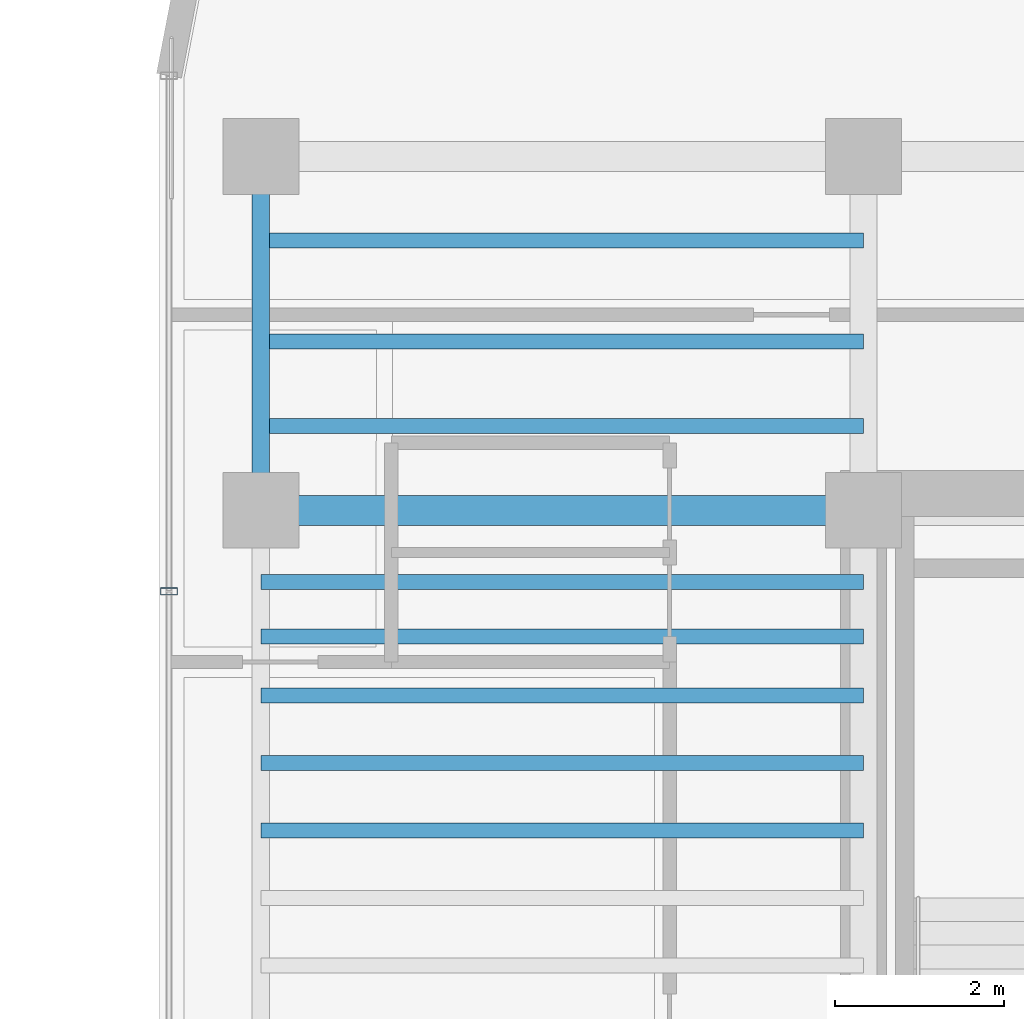
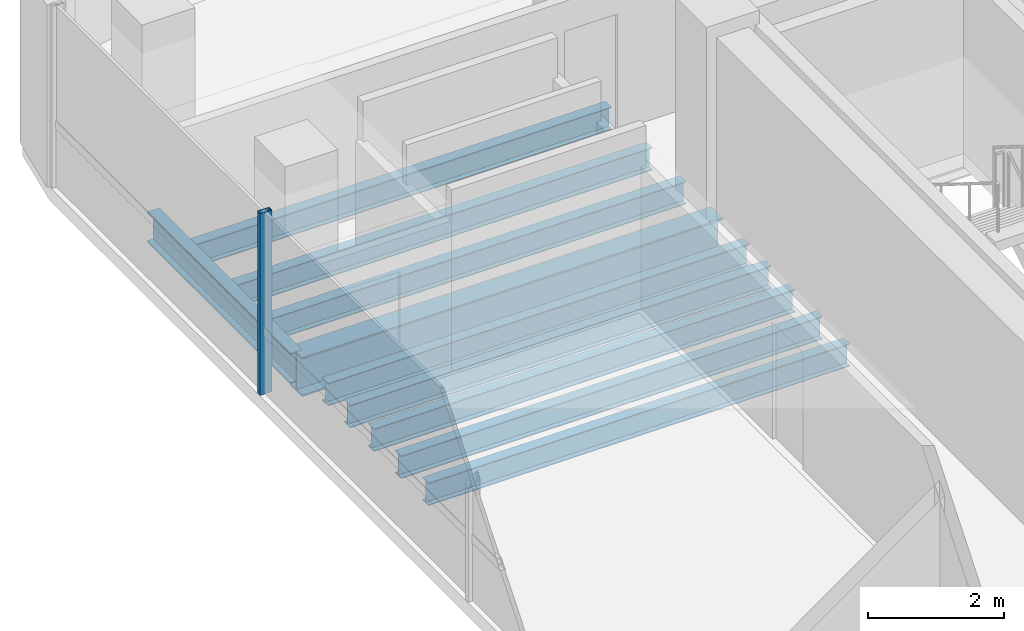
# One storey, part 9 of 22: 10 beams, 1 member, 1 element without a shape of its own.
"""IFC4 building model written with IfcOpenShell, lengths in metres."""

from ifc_helpers import new_model, si_unit, direction, frame, origin, origin_2d, place, context, subcontext, project, spatial, hollow_rectangle, i_section, extrude, source, transform, mapped, material, material_profile, profile_set, type_object, element, aggregate, save


model = new_model("IFC4")

# Units and contexts
model_context = context("Model", 3, precision=1e-05, world=origin(), true_north=direction((0.0, 1.0)))
body_context = subcontext(model_context, "Body", "Model", "MODEL_VIEW")
ifc_project = project(units=[si_unit("LENGTHUNIT", "METRE"), si_unit("AREAUNIT", "SQUARE_METRE"), si_unit("VOLUMEUNIT", "CUBIC_METRE"), si_unit("PLANEANGLEUNIT", "RADIAN"), si_unit("MASSUNIT", "GRAM", prefix="KILO")], contexts=[model_context])

# Site, building, storey
site_placement = place(None, origin())
site = spatial("IfcSite", under=ifc_project, at=site_placement, CompositionType="ELEMENT")
building_placement = place(site_placement, origin())
building = spatial("IfcBuilding", under=site, at=building_placement, Name="Valdorenza Pilgrim Sanctuary Tower", CompositionType="ELEMENT")
storey_placement = place(building_placement, frame((0.0, 0.0, 233.5)))
storey = spatial("IfcBuildingStorey", under=building, at=storey_placement, Name="L60", CompositionType="ELEMENT", Elevation=233.5)

# Beams
ifc_material_1 = material(Name="Steel ASTM A992 Grade 50", Category="steel")
ifc_material_profile_1 = material_profile(ifc_material_1, i_section(OverallWidth=0.2109375, OverallDepth=0.5390625, WebThickness=0.01171875, FlangeThickness=0.018798828125, at=origin_2d()), Name="W21X73")
ifc_profile_set_1 = profile_set([ifc_material_profile_1], Name="Steel ASTM A992 Grade 50")
beam_type_1 = type_object("IfcBeamType", Name="STR-BM-SPN-W21B", PredefinedType="SPANDREL", material=ifc_profile_set_1)
shared_shape_1 = source(origin(), body_context, "Body", "SweptSolid", [
    extrude(i_section(OverallWidth=0.2109375, OverallDepth=0.5390625, WebThickness=0.01171875, FlangeThickness=0.018798828125, at=origin_2d()), origin(), (0.0, 0.0, 1.0), 4.199951171875),
])
beam_1_placement = place(storey_placement, frame((-29.800048828125, 10.60009765625, -0.509521484375), z_axis=(0.0, 1.0, 0.0), x_axis=(-1.0, 0.0, 0.0)))
element("IfcBeam", 1, at=beam_1_placement, inside=storey, type_object=beam_type_1, Name="L60 Spandrel Beam WA-W-N1N2", PredefinedType="SPANDREL", context=body_context, shape_type="MappedRepresentation", body=[
    mapped(shared_shape_1, transform((0.0, 0.0, 0.0), x_axis=(1.0, 0.0, 0.0), y_axis=(0.0, 1.0, 0.0), z_axis=(0.0, 0.0, 1.0), scale=1.0)),
])
ifc_material_profile_2 = material_profile(ifc_material_1, i_section(OverallWidth=0.35595703125, OverallDepth=0.700927734375, WebThickness=0.016845703125, FlangeThickness=0.02734375, at=origin_2d()), Name="W27X161")
ifc_profile_set_2 = profile_set([ifc_material_profile_2], Name="Steel ASTM A992 Grade 50")
beam_type_2 = type_object("IfcBeamType", Name="STR-BM-GRD-W27", PredefinedType="BEAM", material=ifc_profile_set_2)
shared_shape_2 = source(origin(), body_context, "Body", "SweptSolid", [
    extrude(i_section(OverallWidth=0.35595703125, OverallDepth=0.700927734375, WebThickness=0.016845703125, FlangeThickness=0.02734375, at=origin_2d()), origin(), (0.0, 0.0, 1.0), 7.150146484375),
])
beam_2_placement = place(storey_placement, frame((-29.800048828125, 10.60009765625, -0.590576171875), z_axis=(1.0, 0.0, 0.0), x_axis=(0.0, 1.0, 0.0)))
element("IfcBeam", 2, at=beam_2_placement, inside=storey, type_object=beam_type_2, Name="L60 Floor Girder WA-XW-N1", PredefinedType="BEAM", context=body_context, shape_type="MappedRepresentation", body=[
    mapped(shared_shape_2, transform((0.0, 0.0, 0.0), x_axis=(1.0, 0.0, 0.0), y_axis=(0.0, 1.0, 0.0), z_axis=(0.0, 0.0, 1.0), scale=1.0)),
])
ifc_material_profile_3 = material_profile(ifc_material_1, i_section(OverallWidth=0.177978515625, OverallDepth=0.406005859375, WebThickness=0.0078125, FlangeThickness=0.0126953125, at=origin_2d()), Name="W16X40")
ifc_profile_set_3 = profile_set([ifc_material_profile_3], Name="Steel ASTM A992 Grade 50")
beam_type_3 = type_object("IfcBeamType", Name="STR-BM-JST-W16", PredefinedType="JOIST", material=ifc_profile_set_3)
shared_shape_3 = source(origin(), body_context, "Body", "SweptSolid", [
    extrude(i_section(OverallWidth=0.177978515625, OverallDepth=0.406005859375, WebThickness=0.0078125, FlangeThickness=0.0126953125, at=origin_2d()), origin(), (0.0, 0.0, 1.0), 7.150146484375),
])
for number, where, z_axis, x_axis, name in (
    (3, (-29.800048828125, 6.800048828125, -0.443115234375), (1.0, 0.0, 0.0), (0.0, 1.0, 0.0), "L60 Composite Floor Joist JST-WA-19"),
    (4, (-29.800048828125, 7.60009765625, -0.443115234375), (1.0, 0.0, 0.0), (0.0, 1.0, 0.0), "L60 Composite Floor Joist JST-WA-20"),
    (5, (-29.800048828125, 8.39990234375, -0.443115234375), (1.0, 0.0, 0.0), (0.0, 1.0, 0.0), "L60 Composite Floor Joist JST-WA-21"),
    (6, (-29.800048828125, 9.10009765625, -0.443115234375), (1.0, 0.0, 0.0), (0.0, 1.0, 0.0), "L60 Composite Floor Joist JST-WA-22"),
    (7, (-29.800048828125, 9.75, -0.443115234375), (1.0, 0.0, 0.0), (0.0, 1.0, 0.0), "L60 Composite Floor Joist JST-WA-23"),
    (8, (-29.800048828125, 11.60009765625, -0.443115234375), (1.0, 0.0, 0.0), (0.0, 1.0, 0.0), "L60 Composite Floor Joist JST-WA-24"),
    (9, (-29.800048828125, 12.60009765625, -0.443115234375), (1.0, 0.0, 0.0), (0.0, 1.0, 0.0), "L60 Composite Floor Joist JST-WA-25"),
    (10, (-29.800048828125, 13.800048828125, -0.443115234375), (1.0, 0.0, 0.0), (0.0, 1.0, 0.0), "L60 Composite Floor Joist JST-WA-26"),
):
    element("IfcBeam", number, at=place(storey_placement, frame(where, z_axis=z_axis, x_axis=x_axis)), inside=storey, type_object=beam_type_3, Name=name, PredefinedType="JOIST", context=body_context, shape_type="MappedRepresentation", body=[
        mapped(shared_shape_3, transform((0.0, 0.0, 0.0), x_axis=(1.0, 0.0, 0.0), y_axis=(0.0, 1.0, 0.0), z_axis=(0.0, 0.0, 1.0), scale=1.0)),
    ])

# Curtain wall, member
ifc_material_2 = material(Name="Curtain-wall IGU glazing", Category="glass")
curtain_wall_type = type_object("IfcCurtainWallType", Name="CW-SYS-02", PredefinedType="NOTDEFINED", material=ifc_material_2)
curtain_wall_placement = place(storey_placement, origin())
curtain_wall = element("IfcCurtainWall", 11, at=curtain_wall_placement, inside=storey, type_object=curtain_wall_type, Name="L60 Curtain Wall CW-L60-1-1S2", PredefinedType="NOTDEFINED")
ifc_material_3 = material(Name="Anodised aluminium AW-6060", Category="aluminium")
ifc_material_profile_4 = material_profile(ifc_material_3, hollow_rectangle(XDim=0.0849609375, YDim=0.199951171875, WallThickness=0.0048828125, at=origin_2d()), Name="ALU-M 200x85x5")
ifc_profile_set_4 = profile_set([ifc_material_profile_4], Name="Anodised aluminium AW-6060")
member_type = type_object("IfcMemberType", Name="CW-MUL-02", PredefinedType="MULLION", material=ifc_profile_set_4)
shared_shape_4 = source(origin(), body_context, "Body", "SweptSolid", [
    extrude(hollow_rectangle(XDim=0.0849609375, YDim=0.199951171875, WallThickness=0.0048828125, at=origin_2d()), origin(), (0.0, 0.0, 1.0), 3.260009765625),
])
member_placement = place(storey_placement, frame((-30.889892578125, 9.63818359375, 0.0), z_axis=(0.0, 0.0, 1.0), x_axis=(0.0, 1.0, 0.0)))
member = element("IfcMember", 12, at=member_placement, type_object=member_type, Name="CW-L60-1-1S2 Mullion 3", PredefinedType="MULLION", context=body_context, shape_type="MappedRepresentation", body=[
    mapped(shared_shape_4, transform((0.0, 0.0, 0.0), x_axis=(1.0, 0.0, 0.0), y_axis=(0.0, 1.0, 0.0), z_axis=(0.0, 0.0, 1.0), scale=1.0)),
])
aggregate(curtain_wall, [member])

save(model, "model.ifc")
